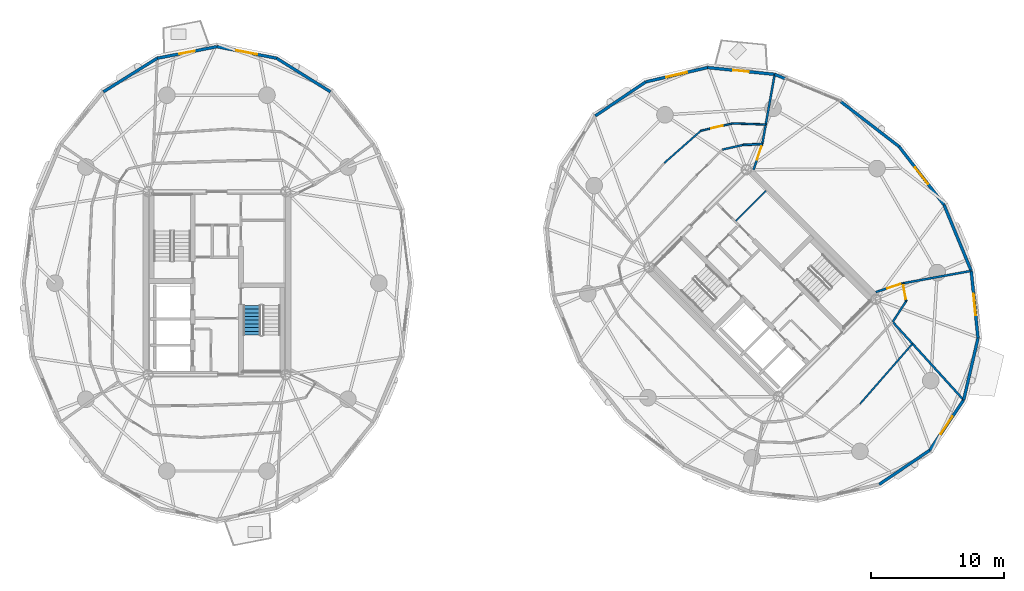
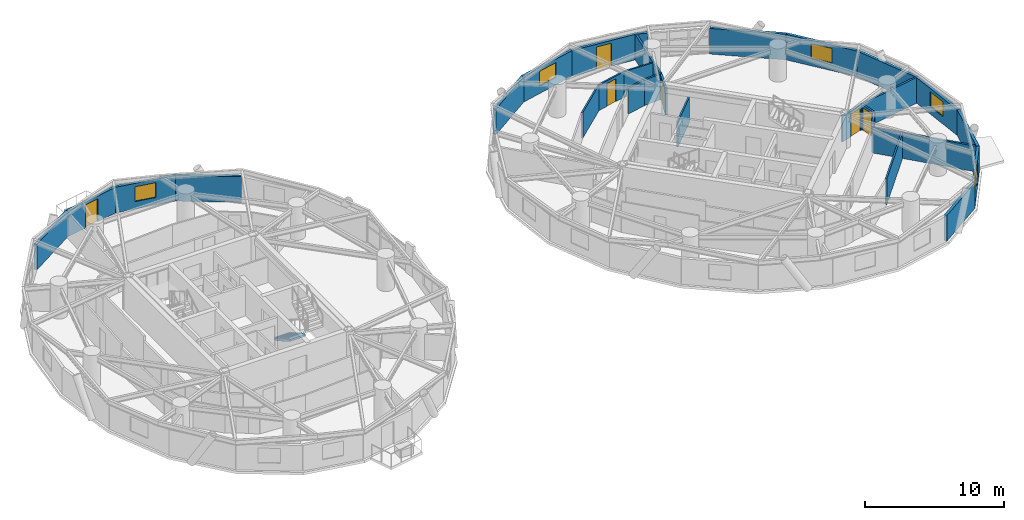
# One storey, part 13 of 17: 29 walls, 6 doors, 5 windows, 1 stair flight, 11 openings, 1 element without a shape of its own.
"""IFC4 building model written with IfcOpenShell, lengths in metres."""

from ifc_helpers import new_model, si_unit, direction, frame, frame_2d, origin, place, context, subcontext, project, spatial, polyline, rectangle, outline, extrude, source, transform, mapped, material, layer, layer_set, type_object, element, fill, aggregate, save


model = new_model("IFC4")

# Units and contexts
model_context = context("Model", 3, precision=1e-05, world=origin(), true_north=direction((0.0, 1.0)))
body_context = subcontext(model_context, "Body", "Model", "MODEL_VIEW")
ifc_project = project(units=[si_unit("LENGTHUNIT", "METRE"), si_unit("AREAUNIT", "SQUARE_METRE"), si_unit("VOLUMEUNIT", "CUBIC_METRE"), si_unit("PLANEANGLEUNIT", "RADIAN"), si_unit("MASSUNIT", "GRAM", prefix="KILO")], contexts=[model_context])

# Site, building, storey
site_placement = place(None, origin())
site = spatial("IfcSite", under=ifc_project, at=site_placement, CompositionType="ELEMENT")
building_placement = place(site_placement, origin())
building = spatial("IfcBuilding", under=site, at=building_placement, Name="Cununo Teusaquillo Station Towers", CompositionType="ELEMENT")
storey_placement = place(building_placement, frame((0.0, 0.0, 163.239990234375)))
storey = spatial("IfcBuildingStorey", under=building, at=storey_placement, Name="L51", CompositionType="ELEMENT", Elevation=163.239990234375)

# Wall
ifc_material_1 = material(Name="Precast concrete C40/50", Category="concrete")
ifc_layer_1 = layer(ifc_material_1, 0.219970703125)
ifc_layer_set_1 = layer_set([ifc_layer_1], Name="Precast concrete C40/50")
wall_type_1 = type_object("IfcWallType", Name="WL-EXT-220", PredefinedType="SOLIDWALL", material=ifc_layer_set_1)
wall_1_placement = place(storey_placement, frame((20.9853515625, 41.400390625, 0.0), z_axis=(0.0, 0.0, 1.0), x_axis=(0.848452391194, -0.529271707044, 0.0)))
element("IfcWall", 1, at=wall_1_placement, inside=storey, type_object=wall_type_1, Name="L51 Tower A Exterior Facade Wall C03", PredefinedType="SOLIDWALL", context=body_context, shape_type="SweptSolid", body=[
    extrude(rectangle(XDim=4.76904296875, YDim=0.219970703125, at=frame_2d((2.384521484375, 0.0))), origin(), (0.0, 0.0, 1.0), 2.2451171875),
])

# Wall, opening, window
wall_2_placement = place(storey_placement, frame((16.5, 42.27001953125, 0.0), z_axis=(0.0, 0.0, 1.0), x_axis=(0.981718699963, -0.190337579429, 0.0)))
wall_2 = element("IfcWall", 2, at=wall_2_placement, inside=storey, type_object=wall_type_1, Name="L51 Tower A Exterior Facade Wall C04", PredefinedType="SOLIDWALL", context=body_context, shape_type="SweptSolid", body=[
    extrude(rectangle(XDim=4.56884765625, YDim=0.219970703125, at=frame_2d((2.284423828125, 0.0))), origin(), (0.0, 0.0, 1.0), 2.2451171875),
])
shared_shape_1 = source(origin(), body_context, "Body", "SweptSolid", [
    extrude(rectangle(XDim=1.60009765625, YDim=1.300048828125, at=frame_2d((0.800048828125, 0.64990234375))), frame((0.0, 0.119873046875, 0.0), z_axis=(0.0, -1.0, 0.0), x_axis=(1.0, 0.0, 0.0)), (0.0, 0.0, 1.0), 0.239990234375),
])
opening_1_placement = place(wall_2_placement, frame((1.48388671875, 0.0, 0.64990234375)))
opening_1 = element("IfcOpeningElement", 3, at=opening_1_placement, cuts=wall_2, Name="Opening WN-03", PredefinedType="OPENING", context=body_context, shape_type="MappedRepresentation", body=[
    mapped(shared_shape_1, transform((0.0, 0.0, 0.0), x_axis=(1.0, 0.0, 0.0), y_axis=(0.0, 1.0, 0.0), z_axis=(0.0, 0.0, 1.0), scale=1.0)),
])
ifc_material_2 = material(Name="Ceramic-fritted dark low-E double glazing", Category="glass")
window_type = type_object("IfcWindowType", Name="WIN-CORN-1600", PartitioningType="SINGLE_PANEL", PredefinedType="WINDOW", material=ifc_material_2)
shared_shape_2 = source(origin(), body_context, "Body", "SweptSolid", [
    extrude(rectangle(XDim=1.60009765625, YDim=1.300048828125, at=frame_2d((0.800048828125, 0.64990234375))), frame((0.0, 0.030029296875, 0.0), z_axis=(0.0, -1.0, 0.0), x_axis=(1.0, 0.0, 0.0)), (0.0, 0.0, 1.0), 0.06005859375),
])
window_1_placement = place(opening_1_placement, origin())
window_1 = element("IfcWindow", 4, at=window_1_placement, inside=storey, type_object=window_type, Name="L51 Tower A Facade Window C04", OverallHeight=1.300048828125, OverallWidth=1.60009765625, PartitioningType="SINGLE_PANEL", PredefinedType="WINDOW", context=body_context, shape_type="MappedRepresentation", body=[
    mapped(shared_shape_2, transform((0.0, 0.0, 0.0), x_axis=(1.0, 0.0, 0.0), y_axis=(0.0, 1.0, 0.0), z_axis=(0.0, 0.0, 1.0), scale=1.0)),
])
fill(opening_1, window_1)

# Wall, opening, door
wall_3_placement = place(storey_placement, frame((12.0146484375, 41.400390625, 0.0), z_axis=(0.0, 0.0, 1.0), x_axis=(0.981718699963, 0.190337579429, 0.0)))
wall_3 = element("IfcWall", 5, at=wall_3_placement, inside=storey, type_object=wall_type_1, Name="L51 Tower A Exterior Facade Wall C05", PredefinedType="SOLIDWALL", context=body_context, shape_type="SweptSolid", body=[
    extrude(rectangle(XDim=4.56884765625, YDim=0.219970703125, at=frame_2d((2.284423828125, 0.0))), origin(), (0.0, 0.0, 1.0), 2.2451171875),
])
shared_shape_3 = source(origin(), body_context, "Body", "SweptSolid", [
    extrude(rectangle(XDim=1.14990234375, YDim=2.0048828125, at=frame_2d((0.574951171875, 1.00244140625))), frame((0.0, 0.119873046875, 0.0), z_axis=(0.0, -1.0, 0.0), x_axis=(1.0, 0.0, 0.0)), (0.0, 0.0, 1.0), 0.239990234375),
])
opening_2_placement = place(wall_3_placement, frame((1.708984375, 0.0, 0.0)))
opening_2 = element("IfcOpeningElement", 6, at=opening_2_placement, cuts=wall_3, Name="Opening ED-03", PredefinedType="OPENING", context=body_context, shape_type="MappedRepresentation", body=[
    mapped(shared_shape_3, transform((0.0, 0.0, 0.0), x_axis=(1.0, 0.0, 0.0), y_axis=(0.0, 1.0, 0.0), z_axis=(0.0, 0.0, 1.0), scale=1.0)),
])
ifc_material_3 = material(Name="Anodised dark bronze aluminium EN AW-6063-T6", Category="aluminium")
door_type_1 = type_object("IfcDoorType", Name="DR-EXT-BAL", OperationType="NOTDEFINED", PredefinedType="DOOR", material=ifc_material_3)
shared_shape_4 = source(origin(), body_context, "Body", "SweptSolid", [
    extrude(rectangle(XDim=1.14990234375, YDim=2.0048828125, at=frame_2d((0.574951171875, 1.00244140625))), frame((0.0, 0.02490234375, 0.0), z_axis=(0.0, -1.0, 0.0), x_axis=(1.0, 0.0, 0.0)), (0.0, 0.0, 1.0), 0.050048828125),
])
door_1_placement = place(opening_2_placement, origin())
door_1 = element("IfcDoor", 7, at=door_1_placement, inside=storey, type_object=door_type_1, Name="L51 Tower A Tree Balcony Door C05", OperationType="SINGLE_SWING_LEFT", OverallHeight=2.0048828125, OverallWidth=1.14990234375, PredefinedType="DOOR", context=body_context, shape_type="MappedRepresentation", body=[
    mapped(shared_shape_4, transform((0.0, 0.0, 0.0), x_axis=(1.0, 0.0, 0.0), y_axis=(0.0, 1.0, 0.0), z_axis=(0.0, 0.0, 1.0), scale=1.0)),
])
fill(opening_2, door_1)

# Walls
wall_4_placement = place(storey_placement, frame((7.96826171875, 38.876220703125, 0.0), z_axis=(0.0, 0.0, 1.0), x_axis=(0.848452391194, 0.529271707044, 0.0)))
element("IfcWall", 8, at=wall_4_placement, inside=storey, type_object=wall_type_1, Name="L51 Tower A Exterior Facade Wall C06", PredefinedType="SOLIDWALL", context=body_context, shape_type="SweptSolid", body=[
    extrude(rectangle(XDim=4.76904296875, YDim=0.219970703125, at=frame_2d((2.384521484375, 0.0))), origin(), (0.0, 0.0, 1.0), 2.2451171875),
])
wall_5_placement = place(storey_placement, frame((63.37841796875, 38.144287109375, 0.0), z_axis=(0.0, 0.0, 1.0), x_axis=(0.791982658323, -0.610543584779, 0.0)))
element("IfcWall", 9, at=wall_5_placement, inside=storey, type_object=wall_type_1, Name="L51 Tower B Exterior Facade Wall C00", PredefinedType="SOLIDWALL", context=body_context, shape_type="SweptSolid", body=[
    extrude(rectangle(XDim=5.537109375, YDim=0.219970703125, at=frame_2d((2.7685546875, 0.0))), origin(), (0.0, 0.0, 1.0), 2.2451171875),
])
wall_6_placement = place(storey_placement, frame((58.417724609375, 40.189208984375, 0.0), z_axis=(0.0, 0.0, 1.0), x_axis=(0.924556017656, -0.381046152345, 0.0)))
element("IfcWall", 10, at=wall_6_placement, inside=storey, type_object=wall_type_1, Name="L51 Tower B Column Pier Cladding Wall C01-PA", PredefinedType="SOLIDWALL", context=body_context, shape_type="SweptSolid", body=[
    extrude(rectangle(XDim=0.8701171875, YDim=0.219970703125, at=frame_2d((0.43505859375, 0.0))), origin(), (0.0, 0.0, 1.0), 2.2451171875),
])

# Wall, opening, door
wall_7_placement = place(storey_placement, frame((53.3671875, 40.6982421875, 0.0), z_axis=(0.0, 0.0, 1.0), x_axis=(0.994959267396, -0.100279889424, 0.0)))
wall_7 = element("IfcWall", 11, at=wall_7_placement, inside=storey, type_object=wall_type_1, Name="L51 Tower B Exterior Facade Wall C02", PredefinedType="SOLIDWALL", context=body_context, shape_type="SweptSolid", body=[
    extrude(rectangle(XDim=5.076171875, YDim=0.219970703125, at=frame_2d((2.5380859375, 0.0))), origin(), (0.0, 0.0, 1.0), 2.2451171875),
])
opening_3_placement = place(wall_7_placement, frame((1.962890625, 0.0, 0.0)))
opening_3 = element("IfcOpeningElement", 12, at=opening_3_placement, cuts=wall_7, Name="Opening ED-03", PredefinedType="OPENING", context=body_context, shape_type="MappedRepresentation", body=[
    mapped(shared_shape_3, transform((0.0, 0.0, 0.0), x_axis=(1.0, 0.0, 0.0), y_axis=(0.0, 1.0, 0.0), z_axis=(0.0, 0.0, 1.0), scale=1.0)),
])
door_2_placement = place(opening_3_placement, origin())
door_2 = element("IfcDoor", 13, at=door_2_placement, inside=storey, type_object=door_type_1, Name="L51 Tower B Tree Balcony Door C02", OperationType="SINGLE_SWING_LEFT", OverallHeight=2.0048828125, OverallWidth=1.14990234375, PredefinedType="DOOR", context=body_context, shape_type="MappedRepresentation", body=[
    mapped(shared_shape_4, transform((0.0, 0.0, 0.0), x_axis=(1.0, 0.0, 0.0), y_axis=(0.0, 1.0, 0.0), z_axis=(0.0, 0.0, 1.0), scale=1.0)),
])
fill(opening_3, door_2)

# Wall, opening, window
wall_8_placement = place(storey_placement, frame((48.72119140625, 39.6220703125, 0.0), z_axis=(0.0, 0.0, 1.0), x_axis=(0.974206226622, 0.225659540039, 0.0)))
wall_8 = element("IfcWall", 14, at=wall_8_placement, inside=storey, type_object=wall_type_1, Name="L51 Tower B Exterior Facade Wall C03", PredefinedType="SOLIDWALL", context=body_context, shape_type="SweptSolid", body=[
    extrude(rectangle(XDim=4.76904296875, YDim=0.219970703125, at=frame_2d((2.384521484375, 0.0))), origin(), (0.0, 0.0, 1.0), 2.2451171875),
])
opening_4_placement = place(wall_8_placement, frame((1.5849609375, 0.0, 0.64990234375)))
opening_4 = element("IfcOpeningElement", 15, at=opening_4_placement, cuts=wall_8, Name="Opening WN-03", PredefinedType="OPENING", context=body_context, shape_type="MappedRepresentation", body=[
    mapped(shared_shape_1, transform((0.0, 0.0, 0.0), x_axis=(1.0, 0.0, 0.0), y_axis=(0.0, 1.0, 0.0), z_axis=(0.0, 0.0, 1.0), scale=1.0)),
])
window_2_placement = place(opening_4_placement, origin())
window_2 = element("IfcWindow", 16, at=window_2_placement, inside=storey, type_object=window_type, Name="L51 Tower B Facade Window C03", OverallHeight=1.300048828125, OverallWidth=1.60009765625, PartitioningType="SINGLE_PANEL", PredefinedType="WINDOW", context=body_context, shape_type="MappedRepresentation", body=[
    mapped(shared_shape_2, transform((0.0, 0.0, 0.0), x_axis=(1.0, 0.0, 0.0), y_axis=(0.0, 1.0, 0.0), z_axis=(0.0, 0.0, 1.0), scale=1.0)),
])
fill(opening_4, window_2)

# Walls
for number, where, z_axis, x_axis, name in (
    (17, (44.934814453125, 37.065185546875, 0.0), (0.0, 0.0, 1.0), (0.828739009952, 0.559635286042, 0.0), "L51 Tower B Exterior Facade Wall C04"),
    (18, (70.065185546875, 11.934814453125, 0.0), (0.0, 0.0, 1.0), (-0.828739009952, -0.559635286042, 0.0), "L51 Tower B Exterior Facade Wall C14"),
):
    element("IfcWall", number, at=place(storey_placement, frame(where, z_axis=z_axis, x_axis=x_axis)), inside=storey, type_object=wall_type_1, Name=name, PredefinedType="SOLIDWALL", context=body_context, shape_type="SweptSolid", body=[
        extrude(rectangle(XDim=4.56884765625, YDim=0.219970703125, at=frame_2d((2.284423828125, 0.0))), origin(), (0.0, 0.0, 1.0), 2.2451171875),
    ])

# Wall, opening, window
wall_9_placement = place(storey_placement, frame((72.6220703125, 15.72119140625, 0.0), z_axis=(0.0, 0.0, 1.0), x_axis=(-0.559635286042, -0.828739009952, 0.0)))
wall_9 = element("IfcWall", 19, at=wall_9_placement, inside=storey, type_object=wall_type_1, Name="L51 Tower B Exterior Facade Wall C15", PredefinedType="SOLIDWALL", context=body_context, shape_type="SweptSolid", body=[
    extrude(rectangle(XDim=4.56884765625, YDim=0.219970703125, at=frame_2d((2.284423828125, 0.0))), origin(), (0.0, 0.0, 1.0), 2.2451171875),
])
opening_5_placement = place(wall_9_placement, frame((1.48388671875, 0.0, 0.64990234375)))
opening_5 = element("IfcOpeningElement", 20, at=opening_5_placement, cuts=wall_9, Name="Opening WN-03", PredefinedType="OPENING", context=body_context, shape_type="MappedRepresentation", body=[
    mapped(shared_shape_1, transform((0.0, 0.0, 0.0), x_axis=(1.0, 0.0, 0.0), y_axis=(0.0, 1.0, 0.0), z_axis=(0.0, 0.0, 1.0), scale=1.0)),
])
window_3_placement = place(opening_5_placement, origin())
window_3 = element("IfcWindow", 21, at=window_3_placement, inside=storey, type_object=window_type, Name="L51 Tower B Facade Window C15", OverallHeight=1.300048828125, OverallWidth=1.60009765625, PartitioningType="SINGLE_PANEL", PredefinedType="WINDOW", context=body_context, shape_type="MappedRepresentation", body=[
    mapped(shared_shape_2, transform((0.0, 0.0, 0.0), x_axis=(1.0, 0.0, 0.0), y_axis=(0.0, 1.0, 0.0), z_axis=(0.0, 0.0, 1.0), scale=1.0)),
])
fill(opening_5, window_3)

# Wall
wall_10_placement = place(storey_placement, frame((73.6982421875, 20.3671875, 0.0), z_axis=(0.0, 0.0, 1.0), x_axis=(-0.225659540039, -0.974206226622, 0.0)))
element("IfcWall", 22, at=wall_10_placement, inside=storey, type_object=wall_type_1, Name="L51 Tower B Exterior Facade Wall C16", PredefinedType="SOLIDWALL", context=body_context, shape_type="SweptSolid", body=[
    extrude(rectangle(XDim=4.76904296875, YDim=0.219970703125, at=frame_2d((2.384521484375, 0.0))), origin(), (0.0, 0.0, 1.0), 2.2451171875),
])

# Wall, opening, window
wall_11_placement = place(storey_placement, frame((73.189208984375, 25.417724609375, 0.0), z_axis=(0.0, 0.0, 1.0), x_axis=(0.100279889424, -0.994959267396, 0.0)))
wall_11 = element("IfcWall", 23, at=wall_11_placement, inside=storey, type_object=wall_type_1, Name="L51 Tower B Exterior Facade Wall C17", PredefinedType="SOLIDWALL", context=body_context, shape_type="SweptSolid", body=[
    extrude(rectangle(XDim=5.076171875, YDim=0.219970703125, at=frame_2d((2.5380859375, 0.0))), origin(), (0.0, 0.0, 1.0), 2.2451171875),
])
opening_6_placement = place(wall_11_placement, frame((1.738037109375, 0.0, 0.64990234375)))
opening_6 = element("IfcOpeningElement", 24, at=opening_6_placement, cuts=wall_11, Name="Opening WN-03", PredefinedType="OPENING", context=body_context, shape_type="MappedRepresentation", body=[
    mapped(shared_shape_1, transform((0.0, 0.0, 0.0), x_axis=(1.0, 0.0, 0.0), y_axis=(0.0, 1.0, 0.0), z_axis=(0.0, 0.0, 1.0), scale=1.0)),
])
window_4_placement = place(opening_6_placement, origin())
window_4 = element("IfcWindow", 25, at=window_4_placement, inside=storey, type_object=window_type, Name="L51 Tower B Facade Window C17", OverallHeight=1.300048828125, OverallWidth=1.60009765625, PartitioningType="SINGLE_PANEL", PredefinedType="WINDOW", context=body_context, shape_type="MappedRepresentation", body=[
    mapped(shared_shape_2, transform((0.0, 0.0, 0.0), x_axis=(1.0, 0.0, 0.0), y_axis=(0.0, 1.0, 0.0), z_axis=(0.0, 0.0, 1.0), scale=1.0)),
])
fill(opening_6, window_4)

# Wall
wall_12_placement = place(storey_placement, frame((71.144287109375, 30.37841796875, 0.0), z_axis=(0.0, 0.0, 1.0), x_axis=(0.38111364655, -0.924528197738, 0.0)))
element("IfcWall", 26, at=wall_12_placement, inside=storey, type_object=wall_type_1, Name="L51 Tower B Exterior Facade Wall C18", PredefinedType="SOLIDWALL", context=body_context, shape_type="SweptSolid", body=[
    extrude(rectangle(XDim=5.36572265625, YDim=0.219970703125, at=frame_2d((2.682861328125, 0.0))), origin(), (0.0, 0.0, 1.0), 2.2451171875),
])

# Wall, opening, window
wall_13_placement = place(storey_placement, frame((67.763671875, 34.763671875, 0.0), z_axis=(0.0, 0.0, 1.0), x_axis=(0.610543584779, -0.791982658323, 0.0)))
wall_13 = element("IfcWall", 27, at=wall_13_placement, inside=storey, type_object=wall_type_1, Name="L51 Tower B Exterior Facade Wall C19", PredefinedType="SOLIDWALL", context=body_context, shape_type="SweptSolid", body=[
    extrude(rectangle(XDim=5.537109375, YDim=0.219970703125, at=frame_2d((2.7685546875, 0.0))), origin(), (0.0, 0.0, 1.0), 2.2451171875),
])
opening_7_placement = place(wall_13_placement, frame((1.968017578125, 0.0, 0.64990234375)))
opening_7 = element("IfcOpeningElement", 28, at=opening_7_placement, cuts=wall_13, Name="Opening WN-03", PredefinedType="OPENING", context=body_context, shape_type="MappedRepresentation", body=[
    mapped(shared_shape_1, transform((0.0, 0.0, 0.0), x_axis=(1.0, 0.0, 0.0), y_axis=(0.0, 1.0, 0.0), z_axis=(0.0, 0.0, 1.0), scale=1.0)),
])
window_5_placement = place(opening_7_placement, origin())
window_5 = element("IfcWindow", 29, at=window_5_placement, inside=storey, type_object=window_type, Name="L51 Tower B Facade Window C19", OverallHeight=1.300048828125, OverallWidth=1.60009765625, PartitioningType="SINGLE_PANEL", PredefinedType="WINDOW", context=body_context, shape_type="MappedRepresentation", body=[
    mapped(shared_shape_2, transform((0.0, 0.0, 0.0), x_axis=(1.0, 0.0, 0.0), y_axis=(0.0, 1.0, 0.0), z_axis=(0.0, 0.0, 1.0), scale=1.0)),
])
fill(opening_7, window_5)

# Walls
ifc_material_4 = material(Name="Fire-rated gypsum plasterboard partition assembly", Category="gypsum")
ifc_layer_2 = layer(ifc_material_4, 0.125)
ifc_layer_set_2 = layer_set([ifc_layer_2], Name="Fire-rated gypsum plasterboard partition assembly")
wall_type_2 = type_object("IfcWallType", Name="WL-PART-125", PredefinedType="PARTITIONING", material=ifc_layer_set_2)
wall_14_placement = place(storey_placement, frame((55.49169921875, 29.1669921875, 0.0), z_axis=(0.0, 0.0, 1.0), x_axis=(0.707144688645, 0.707068871696, 0.0)))
element("IfcWall", 30, at=wall_14_placement, inside=storey, type_object=wall_type_2, Name="L51 Tower B Reclaimed Bay Divider Wall", PredefinedType="PARTITIONING", context=body_context, shape_type="SweptSolid", body=[
    extrude(rectangle(XDim=3.22021484375, YDim=0.125, at=frame_2d((1.610107421875, 0.0))), origin(), (0.0, 0.0, 1.0), 2.2119140625),
])
wall_15_placement = place(storey_placement, frame((57.746337890625, 36.4189453125, 0.0), z_axis=(0.0, 0.0, 1.0), x_axis=(-0.999409872703, 0.03434976484, 0.0)))
element("IfcWall", 31, at=wall_15_placement, inside=storey, type_object=wall_type_2, Name="L51 Tower B High-Zone Club Reading & Dining Hall Concentric Partition Wall C02", PredefinedType="PARTITIONING", context=body_context, shape_type="SweptSolid", body=[
    extrude(rectangle(XDim=2.46630859375, YDim=0.125, at=frame_2d((1.233154296875, 0.0))), origin(), (0.0, 0.0, 1.0), 2.2451171875),
])

# Wall, opening, door
wall_16_placement = place(storey_placement, frame((55.281494140625, 36.503662109375, 0.0), z_axis=(0.0, 0.0, 1.0), x_axis=(-0.974908832019, -0.222604513096, 0.0)))
wall_16 = element("IfcWall", 32, at=wall_16_placement, inside=storey, type_object=wall_type_2, Name="L51 Tower B High-Zone Club Reading & Dining Hall Concentric Partition Wall C03", PredefinedType="PARTITIONING", context=body_context, shape_type="SweptSolid", body=[
    extrude(rectangle(XDim=2.4677734375, YDim=0.125, at=frame_2d((1.23388671875, 0.0))), origin(), (0.0, 0.0, 1.0), 2.2451171875),
])
shared_shape_5 = source(origin(), body_context, "Body", "SweptSolid", [
    extrude(rectangle(XDim=0.89990234375, YDim=2.0048828125, at=frame_2d((0.449951171875, 1.00244140625))), frame((0.0, 0.072509765625, 0.0), z_axis=(0.0, -1.0, 0.0), x_axis=(1.0, 0.0, 0.0)), (0.0, 0.0, 1.0), 0.14501953125),
])
opening_8_placement = place(wall_16_placement, frame((0.783935546875, 0.0, 0.0)))
opening_8 = element("IfcOpeningElement", 33, at=opening_8_placement, cuts=wall_16, Name="Opening D-IN1", PredefinedType="OPENING", context=body_context, shape_type="MappedRepresentation", body=[
    mapped(shared_shape_5, transform((0.0, 0.0, 0.0), x_axis=(1.0, 0.0, 0.0), y_axis=(0.0, 1.0, 0.0), z_axis=(0.0, 0.0, 1.0), scale=1.0)),
])
ifc_material_5 = material(Name="Acoustic solid-core hardwood leaf assembly", Category="wood")
door_type_2 = type_object("IfcDoorType", Name="DR-INT-900", OperationType="NOTDEFINED", PredefinedType="DOOR", material=ifc_material_5)
shared_shape_6 = source(origin(), body_context, "Body", "SweptSolid", [
    extrude(rectangle(XDim=0.89990234375, YDim=2.0048828125, at=frame_2d((0.449951171875, 1.00244140625))), frame((0.0, 0.02490234375, 0.0), z_axis=(0.0, -1.0, 0.0), x_axis=(1.0, 0.0, 0.0)), (0.0, 0.0, 1.0), 0.050048828125),
])
door_3_placement = place(opening_8_placement, origin())
door_3 = element("IfcDoor", 34, at=door_3_placement, inside=storey, type_object=door_type_2, Name="L51 Tower B High-Zone Club Reading & Dining Hall Connecting Door", OperationType="SINGLE_SWING_LEFT", OverallHeight=2.0048828125, OverallWidth=0.89990234375, PredefinedType="DOOR", context=body_context, shape_type="MappedRepresentation", body=[
    mapped(shared_shape_6, transform((0.0, 0.0, 0.0), x_axis=(1.0, 0.0, 0.0), y_axis=(0.0, 1.0, 0.0), z_axis=(0.0, 0.0, 1.0), scale=1.0)),
])
fill(opening_8, door_3)

# Walls
wall_17_placement = place(storey_placement, frame((52.875732421875, 35.954345703125, 0.0), z_axis=(0.0, 0.0, 1.0), x_axis=(-0.750317340408, -0.661077823469, 0.0)))
element("IfcWall", 35, at=wall_17_placement, inside=storey, type_object=wall_type_2, Name="L51 Tower B High-Zone Club Reading & Dining Hall Concentric Partition Wall C04", PredefinedType="PARTITIONING", context=body_context, shape_type="SweptSolid", body=[
    extrude(rectangle(XDim=3.668701171875, YDim=0.125, at=frame_2d((1.83447265625, 0.0))), origin(), (0.0, 0.0, 1.0), 2.2451171875),
])
wall_18_placement = place(storey_placement, frame((64.838623046875, 15.4326171875, 0.0), z_axis=(0.0, 0.0, 1.0), x_axis=(0.657505208165, 0.753449999161, 0.0)))
element("IfcWall", 36, at=wall_18_placement, inside=storey, type_object=wall_type_2, Name="L51 Tower B Cordillera Executive Conference Salon Concentric Partition Wall C15", PredefinedType="PARTITIONING", context=body_context, shape_type="SweptSolid", body=[
    extrude(rectangle(XDim=5.987548828125, YDim=0.125, at=frame_2d((2.99365234375, 0.0))), origin(), (0.0, 0.0, 1.0), 2.2451171875),
])
ifc_material_6 = material(Name="Fire-rated gypsum plasterboard partition assembly", Category="gypsum")
ifc_layer_3 = layer(ifc_material_6, 0.14990234375)
ifc_layer_set_3 = layer_set([ifc_layer_3], Name="Fire-rated gypsum plasterboard partition assembly")
wall_type_3 = type_object("IfcWallType", Name="WL-PART-150", PredefinedType="PARTITIONING", material=ifc_layer_set_3)
wall_19_placement = place(storey_placement, frame((57.486328125, 34.96044921875, 0.0), z_axis=(0.0, 0.0, 1.0), x_axis=(-0.998483871836, -0.055045051404, 0.0)))
element("IfcWall", 37, at=wall_19_placement, inside=storey, type_object=wall_type_3, Name="L51 Tower B Corridor Ring Wall C02", PredefinedType="PARTITIONING", context=body_context, shape_type="SweptSolid", body=[
    extrude(rectangle(XDim=1.463623046875, YDim=0.14990234375, at=frame_2d((0.73193359375, 0.0))), origin(), (0.0, 0.0, 1.0), 2.2451171875),
])
wall_20_placement = place(storey_placement, frame((56.02490234375, 34.8798828125, 0.0), z_axis=(0.0, 0.0, 1.0), x_axis=(-0.975729093394, -0.218981132301, 0.0)))
element("IfcWall", 38, at=wall_20_placement, inside=storey, type_object=wall_type_3, Name="L51 Tower B Corridor Ring Wall C03", PredefinedType="PARTITIONING", context=body_context, shape_type="SweptSolid", body=[
    extrude(rectangle(XDim=1.575439453125, YDim=0.14990234375, at=frame_2d((0.78759765625, 0.0))), origin(), (0.0, 0.0, 1.0), 2.2451171875),
])
wall_21_placement = place(storey_placement, frame((67.28662109375, 21.582275390625, 0.0), z_axis=(0.0, 0.0, 1.0), x_axis=(0.543202443884, 0.839601753785, 0.0)))
element("IfcWall", 39, at=wall_21_placement, inside=storey, type_object=wall_type_3, Name="L51 Tower B Corridor Ring Wall C16", PredefinedType="PARTITIONING", context=body_context, shape_type="SweptSolid", body=[
    extrude(rectangle(XDim=1.86572265625, YDim=0.14990234375, at=frame_2d((0.932861328125, 0.0))), origin(), (0.0, 0.0, 1.0), 2.2451171875),
])

# Wall, opening, door
wall_22_placement = place(storey_placement, frame((68.300048828125, 23.148681640625, 0.0), z_axis=(0.0, 0.0, 1.0), x_axis=(-0.176423554694, 0.984314344785, 0.0)))
wall_22 = element("IfcWall", 40, at=wall_22_placement, inside=storey, type_object=wall_type_3, Name="L51 Tower B Corridor Ring Wall C17", PredefinedType="PARTITIONING", context=body_context, shape_type="SweptSolid", body=[
    extrude(rectangle(XDim=1.361572265625, YDim=0.14990234375, at=frame_2d((0.6806640625, 0.0))), origin(), (0.0, 0.0, 1.0), 2.2451171875),
])
shared_shape_7 = source(origin(), body_context, "Body", "SweptSolid", [
    extrude(rectangle(XDim=1.050048828125, YDim=2.014892578125, at=frame_2d((0.52490234375, 1.00732421875))), frame((0.0, 0.0849609375, 0.0), z_axis=(0.0, -1.0, 0.0), x_axis=(1.0, 0.0, 0.0)), (0.0, 0.0, 1.0), 0.169921875),
])
opening_9_placement = place(wall_22_placement, frame((0.156005859375, 0.0, 0.0)))
opening_9 = element("IfcOpeningElement", 41, at=opening_9_placement, cuts=wall_22, Name="Opening D-SU1", PredefinedType="OPENING", context=body_context, shape_type="MappedRepresentation", body=[
    mapped(shared_shape_7, transform((0.0, 0.0, 0.0), x_axis=(1.0, 0.0, 0.0), y_axis=(0.0, 1.0, 0.0), z_axis=(0.0, 0.0, 1.0), scale=1.0)),
])
ifc_material_7 = material(Name="Acoustic solid-core hardwood leaf assembly", Category="wood")
door_type_3 = type_object("IfcDoorType", Name="DR-SUITE-1050", OperationType="NOTDEFINED", PredefinedType="DOOR", material=ifc_material_7)
shared_shape_8 = source(origin(), body_context, "Body", "SweptSolid", [
    extrude(rectangle(XDim=1.050048828125, YDim=2.014892578125, at=frame_2d((0.52490234375, 1.00732421875))), frame((0.0, 0.02490234375, 0.0), z_axis=(0.0, -1.0, 0.0), x_axis=(1.0, 0.0, 0.0)), (0.0, 0.0, 1.0), 0.050048828125),
])
door_4_placement = place(opening_9_placement, origin())
door_4 = element("IfcDoor", 42, at=door_4_placement, inside=storey, type_object=door_type_3, Name="L51 Tower B Hotel Housekeeping & Linen Pantry Entrance Door", OperationType="SINGLE_SWING_LEFT", OverallHeight=2.014892578125, OverallWidth=1.050048828125, PredefinedType="DOOR", context=body_context, shape_type="MappedRepresentation", body=[
    mapped(shared_shape_8, transform((0.0, 0.0, 0.0), x_axis=(1.0, 0.0, 0.0), y_axis=(0.0, 1.0, 0.0), z_axis=(0.0, 0.0, 1.0), scale=1.0)),
])
fill(opening_9, door_4)

# Walls
ifc_material_8 = material(Name="Fire-rated gypsum plasterboard partition assembly", Category="gypsum")
ifc_layer_4 = layer(ifc_material_8, 0.159912109375)
ifc_layer_set_4 = layer_set([ifc_layer_4], Name="Fire-rated gypsum plasterboard partition assembly")
wall_type_4 = type_object("IfcWallType", Name="WL-PART-160", PredefinedType="PARTITIONING", material=ifc_layer_set_4)
wall_23_placement = place(storey_placement, frame((57.486328125, 34.96044921875, 0.0), z_axis=(0.0, 0.0, 1.0), x_axis=(0.175432895983, 0.984491391027, 0.0)))
element("IfcWall", 43, at=wall_23_placement, inside=storey, type_object=wall_type_4, Name="L51 Tower B Radial Suite Partition R01", PredefinedType="PARTITIONING", context=body_context, shape_type="SweptSolid", body=[
    extrude(rectangle(XDim=5.291015625, YDim=0.159912109375, at=frame_2d((2.6455078125, 0.0))), origin(), (0.0, 0.0, 1.0), 2.2451171875),
])
wall_24_placement = place(storey_placement, frame((67.28662109375, 21.582275390625, 0.0), z_axis=(0.0, 0.0, 1.0), x_axis=(0.672520632772, -0.740078373212, 0.0)))
element("IfcWall", 44, at=wall_24_placement, inside=storey, type_object=wall_type_4, Name="L51 Tower B Radial Suite Partition R05", PredefinedType="PARTITIONING", context=body_context, shape_type="SweptSolid", body=[
    extrude(rectangle(XDim=7.906982421875, YDim=0.159912109375, at=frame_2d((3.95361328125, 0.0))), origin(), (0.0, 0.0, 1.0), 2.2451171875),
])
wall_25_placement = place(storey_placement, frame((68.059814453125, 24.489013671875, 0.0), z_axis=(0.0, 0.0, 1.0), x_axis=(0.983987798657, 0.178235832802, 0.0)))
element("IfcWall", 45, at=wall_25_placement, inside=storey, type_object=wall_type_4, Name="L51 Tower B Radial Suite Partition R06", PredefinedType="PARTITIONING", context=body_context, shape_type="SweptSolid", body=[
    extrude(rectangle(XDim=5.19287109375, YDim=0.159912109375, at=frame_2d((2.596435546875, 0.0))), origin(), (0.0, 0.0, 1.0), 2.2451171875),
])

# Wall, opening, door
wall_26_placement = place(storey_placement, frame((56.828125, 33.0205078125, 0.0), z_axis=(0.0, 0.0, 1.0), x_axis=(0.321300161671, 0.94697740528, 0.0)))
wall_26 = element("IfcWall", 46, at=wall_26_placement, inside=storey, type_object=wall_type_4, Name="L51 Tower B East Salon Corridor Portal Wall NE", PredefinedType="PARTITIONING", context=body_context, shape_type="SweptSolid", body=[
    extrude(rectangle(XDim=2.048583984375, YDim=0.159912109375, at=frame_2d((1.0244140625, 0.0))), origin(), (0.0, 0.0, 1.0), 2.2451171875),
])
shared_shape_9 = source(origin(), body_context, "Body", "SweptSolid", [
    extrude(rectangle(XDim=1.050048828125, YDim=2.014892578125, at=frame_2d((0.52490234375, 1.00732421875))), frame((0.0, 0.08984375, 0.0), z_axis=(0.0, -1.0, 0.0), x_axis=(1.0, 0.0, 0.0)), (0.0, 0.0, 1.0), 0.179931640625),
])
opening_10_placement = place(wall_26_placement, frame((0.79833984375, 0.0, 0.0)))
opening_10 = element("IfcOpeningElement", 47, at=opening_10_placement, cuts=wall_26, Name="Opening D-SU1", PredefinedType="OPENING", context=body_context, shape_type="MappedRepresentation", body=[
    mapped(shared_shape_9, transform((0.0, 0.0, 0.0), x_axis=(1.0, 0.0, 0.0), y_axis=(0.0, 1.0, 0.0), z_axis=(0.0, 0.0, 1.0), scale=1.0)),
])
door_5_placement = place(opening_10_placement, origin())
door_5 = element("IfcDoor", 48, at=door_5_placement, inside=storey, type_object=door_type_3, Name="L51 Tower B East Panorama Sky Salon Door NE", OperationType="SINGLE_SWING_RIGHT", OverallHeight=2.014892578125, OverallWidth=1.050048828125, PredefinedType="DOOR", context=body_context, shape_type="MappedRepresentation", body=[
    mapped(shared_shape_8, transform((0.0, 0.0, 0.0), x_axis=(1.0, 0.0, 0.0), y_axis=(0.0, 1.0, 0.0), z_axis=(0.0, 0.0, 1.0), scale=1.0)),
])
fill(opening_10, door_5)

wall_27_placement = place(storey_placement, frame((66.0205078125, 23.828125, 0.0), z_axis=(0.0, 0.0, 1.0), x_axis=(0.951292345965, 0.308290240695, 0.0)))
wall_27 = element("IfcWall", 49, at=wall_27_placement, inside=storey, type_object=wall_type_4, Name="L51 Tower B East Salon Corridor Portal Wall SE", PredefinedType="PARTITIONING", context=body_context, shape_type="SweptSolid", body=[
    extrude(rectangle(XDim=2.143798828125, YDim=0.159912109375, at=frame_2d((1.07177734375, 0.0))), origin(), (0.0, 0.0, 1.0), 2.2451171875),
])
opening_11_placement = place(wall_27_placement, frame((0.893798828125, 0.0, 0.0)))
opening_11 = element("IfcOpeningElement", 50, at=opening_11_placement, cuts=wall_27, Name="Opening D-SU1", PredefinedType="OPENING", context=body_context, shape_type="MappedRepresentation", body=[
    mapped(shared_shape_9, transform((0.0, 0.0, 0.0), x_axis=(1.0, 0.0, 0.0), y_axis=(0.0, 1.0, 0.0), z_axis=(0.0, 0.0, 1.0), scale=1.0)),
])
door_6_placement = place(opening_11_placement, origin())
door_6 = element("IfcDoor", 51, at=door_6_placement, inside=storey, type_object=door_type_3, Name="L51 Tower B East Panorama Sky Salon Door SE", OperationType="SINGLE_SWING_LEFT", OverallHeight=2.014892578125, OverallWidth=1.050048828125, PredefinedType="DOOR", context=body_context, shape_type="MappedRepresentation", body=[
    mapped(shared_shape_8, transform((0.0, 0.0, 0.0), x_axis=(1.0, 0.0, 0.0), y_axis=(0.0, 1.0, 0.0), z_axis=(0.0, 0.0, 1.0), scale=1.0)),
])
fill(opening_11, door_6)

# Stair, stair flight
ifc_material_9 = material(Name="Concrete C50/60", Category="concrete")
stair_type = type_object("IfcStairType", Name="ST-TWR-1300", PredefinedType="HALF_TURN_STAIR", material=ifc_material_9)
stair_placement = place(storey_placement, origin())
stair = element("IfcStair", 52, at=stair_placement, inside=storey, type_object=stair_type, Name="L51 Tower A Protected Core Exit Stair 2", PredefinedType="HALF_TURN_STAIR")
ifc_material_10 = material(Name="Concrete C50/60", Category="concrete")
stair_flight_type = type_object("IfcStairFlightType", Name="SFL-TWR-1300", PredefinedType="STRAIGHT", material=ifc_material_10)
stair_flight_placement = place(storey_placement, frame((19.1298828125, 22.830078125, 0.0), z_axis=(0.0, 0.0, 1.0), x_axis=(0.0, -1.0, 0.0)))
stair_flight = element("IfcStairFlight", 53, at=stair_flight_placement, type_object=stair_flight_type, Name="ST-T1-2 flight 1", NumberOfRisers=9, NumberOfTreads=8, PredefinedType="STRAIGHT", RiserHeight=0.161666667, TreadLength=0.28, context=body_context, shape_type="SweptSolid", body=[
    extrude(outline(polyline([(0.0, 0.0), (0.0, 0.16162109375), (0.280029296875, 0.16162109375), (0.280029296875, 0.3232421875), (0.56005859375, 0.3232421875), (0.56005859375, 0.485107421875), (0.840087890625, 0.485107421875), (0.840087890625, 0.646728515625), (1.1201171875, 0.646728515625), (1.1201171875, 0.808349609375), (1.39990234375, 0.808349609375), (1.39990234375, 0.969970703125), (1.679931640625, 0.969970703125), (1.679931640625, 1.131591796875), (1.9599609375, 1.131591796875), (1.9599609375, 1.293212890625), (2.239990234375, 1.293212890625), (2.239990234375, 1.455078125), (2.239990234375, 1.1201171875), (0.2998046875, 0.0), (0.0, 0.0)])), frame((0.0, 0.64990234375, 0.0), z_axis=(0.0, -1.0, 0.0), x_axis=(1.0, 0.0, 0.0)), (0.0, 0.0, 1.0), 1.300048828125),
])
aggregate(stair, [stair_flight])

save(model, "model.ifc")
